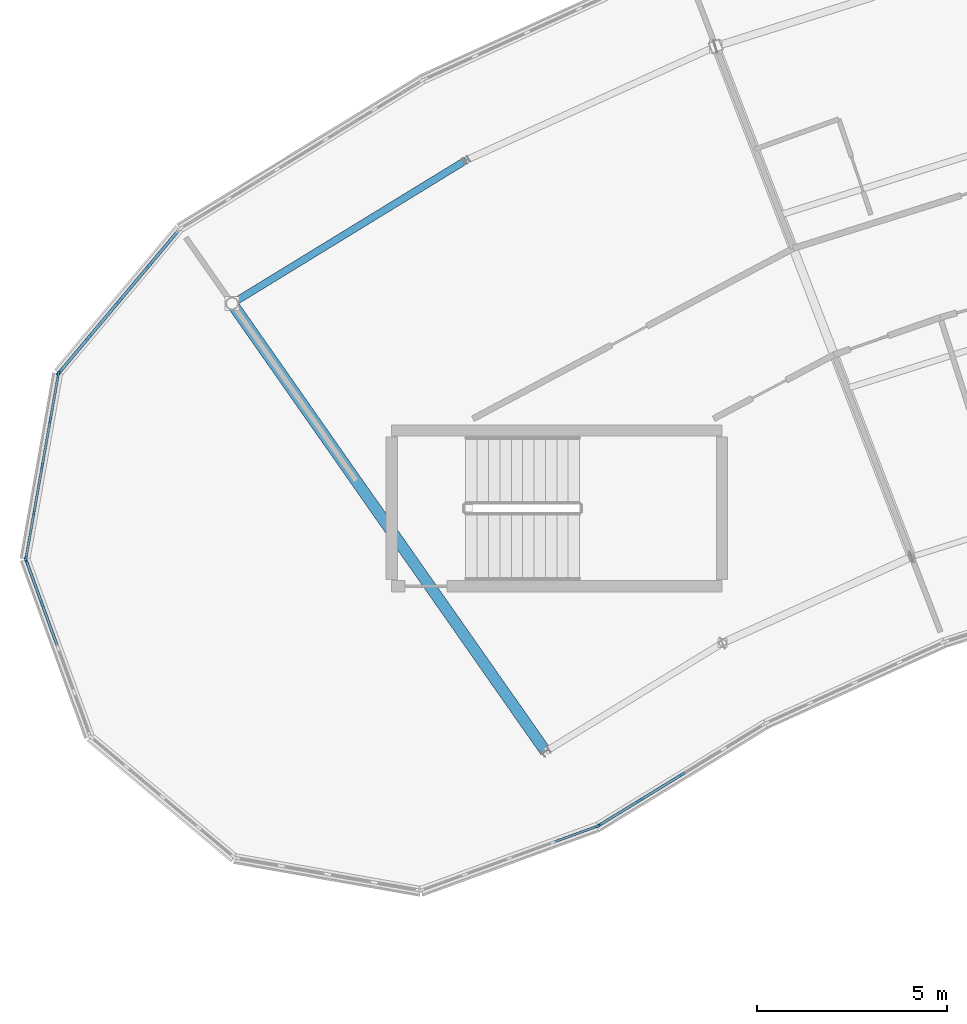
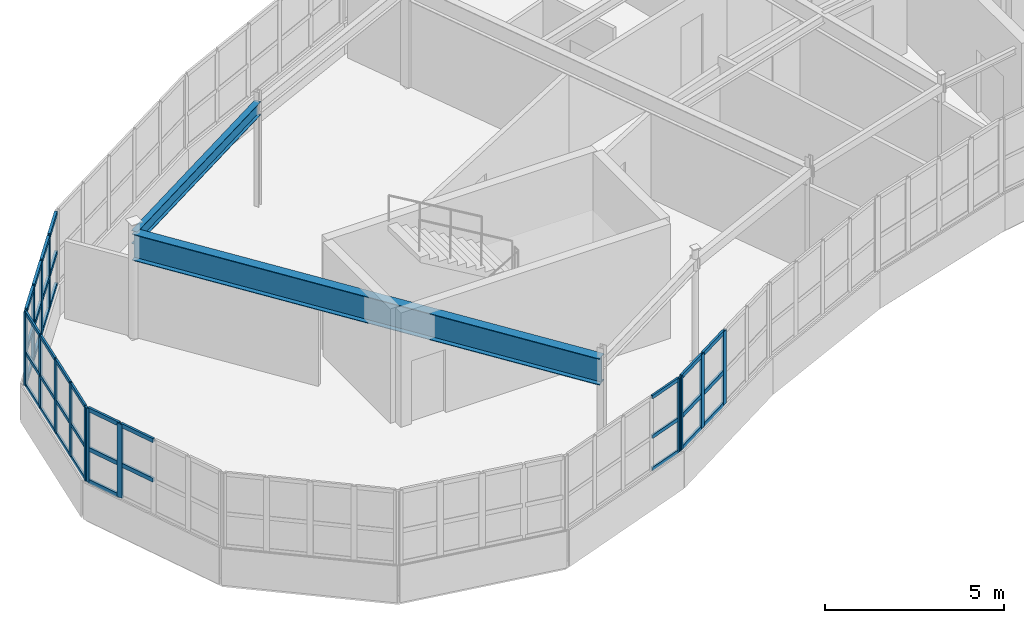
# One storey, part 25 of 65: 53 members, 2 beams, 5 elements without a shape of their own.
"""IFC4 building model written with IfcOpenShell, lengths in metres."""

from ifc_helpers import new_model, si_unit, direction, frame, origin, origin_2d, place, context, subcontext, project, spatial, rectangle, i_section, extrude, material, layer, layer_set, material_profile, profile_set, type_object, element, aggregate, save


model = new_model("IFC4")

# Units and contexts
model_context = context("Model", 3, precision=1e-05, world=origin(), true_north=direction((0.0, 1.0)))
body_context = subcontext(model_context, "Body", "Model", "MODEL_VIEW")
ifc_project = project(units=[si_unit("LENGTHUNIT", "METRE"), si_unit("AREAUNIT", "SQUARE_METRE"), si_unit("VOLUMEUNIT", "CUBIC_METRE"), si_unit("PLANEANGLEUNIT", "RADIAN"), si_unit("MASSUNIT", "GRAM", prefix="KILO")], contexts=[model_context])

# Site, building, storey
site_placement = place(None, origin())
site = spatial("IfcSite", under=ifc_project, at=site_placement, CompositionType="ELEMENT")
building_placement = place(site_placement, origin())
building = spatial("IfcBuilding", under=site, at=building_placement, Name="Tarnwether General Hospital", CompositionType="ELEMENT")
storey_placement = place(building_placement, frame((0.0, 0.0, 22.199951171875)))
storey = spatial("IfcBuildingStorey", under=building, at=storey_placement, Name="L05", CompositionType="ELEMENT", Elevation=22.199951171875)

# Beams
ifc_material_1 = material(Name="Steel Grade 350 (350 MPa)", Category="steel")
ifc_material_profile_1 = material_profile(ifc_material_1, i_section(OverallWidth=0.300048828125, OverallDepth=0.89990234375, WebThickness=0.011962890625, FlangeThickness=0.02001953125, at=origin_2d()), Name="900WB175")
ifc_profile_set_1 = profile_set([ifc_material_profile_1], Name="Steel Grade 350 (350 MPa)")
beam_type_1 = type_object("IfcBeamType", Name="BM-G01", PredefinedType="BEAM", material=ifc_profile_set_1)
beam_1_placement = place(storey_placement, frame((58.0439453125, 111.493896484375, 3.110107421875), z_axis=(0.573596601347, -0.819137924237, 0.0), x_axis=(0.819137924237, 0.573596601347, 0.0)))
element("IfcBeam", 1, at=beam_1_placement, inside=storey, type_object=beam_type_1, Name="Curved Ward NW Radial Girder BMG-L05-5804_11149-6630_9970-1981", PredefinedType="BEAM", context=body_context, shape_type="SweptSolid", body=[
    extrude(i_section(OverallWidth=0.300048828125, OverallDepth=0.89990234375, WebThickness=0.011962890625, FlangeThickness=0.02001953125, at=origin_2d()), origin(), (0.0, 0.0, 1.0), 14.400390625),
])
ifc_material_2 = material(Name="Steel Grade 350 (350 MPa)", Category="steel")
ifc_material_profile_2 = material_profile(ifc_material_2, i_section(OverallWidth=0.18994140625, OverallDepth=0.4541015625, WebThickness=0.008544921875, FlangeThickness=0.0126953125, at=origin_2d()), Name="460UB67.1")
ifc_profile_set_2 = profile_set([ifc_material_profile_2], Name="Steel Grade 350 (350 MPa)")
beam_type_2 = type_object("IfcBeamType", Name="BM-SP1", PredefinedType="SPANDREL", material=ifc_profile_set_2)
beam_2_placement = place(storey_placement, frame((58.0439453125, 111.493896484375, 3.3330078125), z_axis=(0.852678430503, 0.522436114902, 0.0), x_axis=(-0.522436114902, 0.852678430503, 0.0)))
element("IfcBeam", 2, at=beam_2_placement, inside=storey, type_object=beam_type_2, Name="Curved Ward NW Outer Spandrel BMG-L05-5804_11149-6421_11527-1987", PredefinedType="SPANDREL", context=body_context, shape_type="SweptSolid", body=[
    extrude(i_section(OverallWidth=0.18994140625, OverallDepth=0.4541015625, WebThickness=0.008544921875, FlangeThickness=0.0126953125, at=origin_2d()), origin(), (0.0, 0.0, 1.0), 7.22802734375),
])

# Curtain wall, members
ifc_material_3 = material(Name="Anodised aluminium", Category="aluminium")
ifc_layer = layer(ifc_material_3, 0.159912109375)
ifc_layer_set = layer_set([ifc_layer], Name="Anodised aluminium")
curtain_wall_type = type_object("IfcCurtainWallType", Name="CW-03", PredefinedType="NOTDEFINED", material=ifc_layer_set)
curtain_wall_1_placement = place(storey_placement, origin())
curtain_wall_1 = element("IfcCurtainWall", 3, at=curtain_wall_1_placement, inside=storey, type_object=curtain_wall_type, Name="Curtain Wall CWG-L05-526_1048-0065", PredefinedType="NOTDEFINED")
ifc_material_4 = material(Name="Anodised aluminium", Category="aluminium")
ifc_material_profile_3 = material_profile(ifc_material_4, rectangle(XDim=0.06005859375, YDim=0.159912109375, at=origin_2d()), Name="ALU-MUL-60x160")
ifc_profile_set_3 = profile_set([ifc_material_profile_3], Name="Anodised aluminium")
member_type_1 = type_object("IfcMemberType", Name="CW-ML1", PredefinedType="MULLION", material=ifc_profile_set_3)
member_1_placement = place(storey_placement, frame((52.6162109375, 104.78857421875, 1.050048828125), z_axis=(0.0, 0.0, 1.0), x_axis=(-0.984840230098, 0.173463890135, 0.0)))
member_1 = element("IfcMember", 4, at=member_1_placement, type_object=member_type_1, Name="CW-03 mullion 1", PredefinedType="MULLION", context=body_context, shape_type="SweptSolid", body=[
    extrude(rectangle(XDim=0.06005859375, YDim=0.159912109375, at=origin_2d()), origin(), (0.0, 0.0, 1.0), 2.510009765625),
])
member_2_placement = place(storey_placement, frame((52.826416015625, 105.982421875, 1.050048828125), z_axis=(0.0, 0.0, 1.0), x_axis=(-0.984840230098, 0.173463890135, 0.0)))
member_2 = element("IfcMember", 5, at=member_2_placement, type_object=member_type_1, Name="CW-03 mullion 2", PredefinedType="MULLION", context=body_context, shape_type="SweptSolid", body=[
    extrude(rectangle(XDim=0.06005859375, YDim=0.159912109375, at=origin_2d()), origin(), (0.0, 0.0, 1.0), 2.510009765625),
])
member_3_placement = place(storey_placement, frame((53.0419921875, 107.2060546875, 1.050048828125), z_axis=(0.0, 0.0, 1.0), x_axis=(-0.984840230098, 0.173463890135, 0.0)))
member_3 = element("IfcMember", 6, at=member_3_placement, type_object=member_type_1, Name="CW-03 mullion 3", PredefinedType="MULLION", context=body_context, shape_type="SweptSolid", body=[
    extrude(rectangle(XDim=0.06005859375, YDim=0.159912109375, at=origin_2d()), origin(), (0.0, 0.0, 1.0), 2.510009765625),
])
member_4_placement = place(storey_placement, frame((53.257568359375, 108.429443359375, 1.050048828125), z_axis=(0.0, 0.0, 1.0), x_axis=(-0.984840230098, 0.173463890135, 0.0)))
member_4 = element("IfcMember", 7, at=member_4_placement, type_object=member_type_1, Name="CW-03 mullion 4", PredefinedType="MULLION", context=body_context, shape_type="SweptSolid", body=[
    extrude(rectangle(XDim=0.06005859375, YDim=0.159912109375, at=origin_2d()), origin(), (0.0, 0.0, 1.0), 2.510009765625),
])
member_5_placement = place(storey_placement, frame((53.4677734375, 109.62353515625, 1.050048828125), z_axis=(0.0, 0.0, 1.0), x_axis=(-0.984840230098, 0.173463890135, 0.0)))
member_5 = element("IfcMember", 8, at=member_5_placement, type_object=member_type_1, Name="CW-03 mullion 5", PredefinedType="MULLION", context=body_context, shape_type="SweptSolid", body=[
    extrude(rectangle(XDim=0.06005859375, YDim=0.159912109375, at=origin_2d()), origin(), (0.0, 0.0, 1.0), 2.510009765625),
])

# Curtain wall, member
curtain_wall_2_placement = place(storey_placement, origin())
curtain_wall_2 = element("IfcCurtainWall", 9, at=curtain_wall_2_placement, inside=storey, type_object=curtain_wall_type, Name="Curtain Wall CWG-L05-677_977-0069", PredefinedType="NOTDEFINED")
member_6_placement = place(storey_placement, frame((67.65185546875, 97.7216796875, 1.050048828125), z_axis=(0.0, 0.0, 1.0), x_axis=(0.342130850834, -0.939652319163, 0.0)))
member_6 = element("IfcMember", 10, at=member_6_placement, type_object=member_type_1, Name="CW-03 mullion 1", PredefinedType="MULLION", context=body_context, shape_type="SweptSolid", body=[
    extrude(rectangle(XDim=0.06005859375, YDim=0.159912109375, at=origin_2d()), origin(), (0.0, 0.0, 1.0), 2.510009765625),
])

# Curtain wall, members
curtain_wall_3_placement = place(storey_placement, origin())
curtain_wall_3 = element("IfcCurtainWall", 11, at=curtain_wall_3_placement, inside=storey, type_object=curtain_wall_type, Name="Curtain Wall CWG-L05-543_1001-0066", PredefinedType="NOTDEFINED")
ifc_material_5 = material(Name="Anodised aluminium", Category="aluminium")
ifc_material_profile_4 = material_profile(ifc_material_5, rectangle(XDim=0.070068359375, YDim=0.179931640625, at=origin_2d()), Name="ALU-MUL-70x180")
ifc_profile_set_4 = profile_set([ifc_material_profile_4], Name="Anodised aluminium")
member_type_2 = type_object("IfcMemberType", Name="CW-ML2", PredefinedType="MULLION", material=ifc_profile_set_4)
member_7_placement = place(storey_placement, frame((53.03564453125, 103.591796875, 1.050048828125), z_axis=(0.0, 0.0, 1.0), x_axis=(-0.939717006582, -0.341953136469, 0.0)))
member_7 = element("IfcMember", 12, at=member_7_placement, type_object=member_type_2, Name="CW-03 mullion 4", PredefinedType="MULLION", context=body_context, shape_type="SweptSolid", body=[
    extrude(rectangle(XDim=0.070068359375, YDim=0.179931640625, at=origin_2d()), origin(), (0.0, 0.0, 1.0), 2.510009765625),
])
member_8_placement = place(storey_placement, frame((52.623046875, 104.72607421875, 1.050048828125), z_axis=(0.0, 0.0, 1.0), x_axis=(-0.939717006582, -0.341953136469, 0.0)))
member_8 = element("IfcMember", 13, at=member_8_placement, type_object=member_type_2, Name="CW-03 mullion 5", PredefinedType="MULLION", context=body_context, shape_type="SweptSolid", body=[
    extrude(rectangle(XDim=0.070068359375, YDim=0.179931640625, at=origin_2d()), origin(), (0.0, 0.0, 1.0), 2.510009765625),
])

curtain_wall_4_placement = place(storey_placement, origin())
curtain_wall_4 = element("IfcCurtainWall", 14, at=curtain_wall_4_placement, inside=storey, type_object=curtain_wall_type, Name="Curtain Wall CWG-L05-721_1004-0070", PredefinedType="NOTDEFINED")
member_9_placement = place(storey_placement, frame((69.886962890625, 99.08447265625, 1.050048828125), z_axis=(0.0, 0.0, 1.0), x_axis=(0.522512231483, -0.852631789198, 0.0)))
member_9 = element("IfcMember", 15, at=member_9_placement, type_object=member_type_2, Name="CW-03 mullion 3", PredefinedType="MULLION", context=body_context, shape_type="SweptSolid", body=[
    extrude(rectangle(XDim=0.070068359375, YDim=0.179931640625, at=origin_2d()), origin(), (0.0, 0.0, 1.0), 2.510009765625),
])
member_10_placement = place(storey_placement, frame((68.783447265625, 98.408203125, 1.050048828125), z_axis=(0.0, 0.0, 1.0), x_axis=(0.522512231483, -0.852631789198, 0.0)))
member_10 = element("IfcMember", 16, at=member_10_placement, type_object=member_type_2, Name="CW-03 mullion 4", PredefinedType="MULLION", context=body_context, shape_type="SweptSolid", body=[
    extrude(rectangle(XDim=0.070068359375, YDim=0.179931640625, at=origin_2d()), origin(), (0.0, 0.0, 1.0), 2.510009765625),
])
member_11_placement = place(storey_placement, frame((67.7099609375, 97.750244140625, 1.050048828125), z_axis=(0.0, 0.0, 1.0), x_axis=(0.522512231483, -0.852631789198, 0.0)))
member_11 = element("IfcMember", 17, at=member_11_placement, type_object=member_type_2, Name="CW-03 mullion 5", PredefinedType="MULLION", context=body_context, shape_type="SweptSolid", body=[
    extrude(rectangle(XDim=0.070068359375, YDim=0.179931640625, at=origin_2d()), origin(), (0.0, 0.0, 1.0), 2.510009765625),
])

curtain_wall_5_placement = place(storey_placement, origin())
curtain_wall_5 = element("IfcCurtainWall", 18, at=curtain_wall_5_placement, inside=storey, type_object=curtain_wall_type, Name="Curtain Wall CWG-L05-535_1097-0096", PredefinedType="NOTDEFINED")
ifc_material_6 = material(Name="Anodised aluminium", Category="aluminium")
ifc_material_profile_5 = material_profile(ifc_material_6, rectangle(XDim=0.080078125, YDim=0.199951171875, at=origin_2d()), Name="ALU-MUL-80x200")
ifc_profile_set_5 = profile_set([ifc_material_profile_5], Name="Anodised aluminium")
member_type_3 = type_object("IfcMemberType", Name="CW-ML4", PredefinedType="MULLION", material=ifc_profile_set_5)
member_12_placement = place(storey_placement, frame((53.498779296875, 109.68359375, 1.050048828125), z_axis=(0.0, 0.0, 1.0), x_axis=(-0.765990176896, 0.64285227611, 0.0)))
member_12 = element("IfcMember", 19, at=member_12_placement, type_object=member_type_3, Name="CW-03 mullion 1", PredefinedType="MULLION", context=body_context, shape_type="SweptSolid", body=[
    extrude(rectangle(XDim=0.080078125, YDim=0.199951171875, at=origin_2d()), origin(), (0.0, 0.0, 1.0), 2.510009765625),
])
member_13_placement = place(storey_placement, frame((54.271728515625, 110.604736328125, 1.050048828125), z_axis=(0.0, 0.0, 1.0), x_axis=(-0.765990176896, 0.64285227611, 0.0)))
member_13 = element("IfcMember", 20, at=member_13_placement, type_object=member_type_3, Name="CW-03 mullion 2", PredefinedType="MULLION", context=body_context, shape_type="SweptSolid", body=[
    extrude(rectangle(XDim=0.080078125, YDim=0.199951171875, at=origin_2d()), origin(), (0.0, 0.0, 1.0), 2.510009765625),
])
member_14_placement = place(storey_placement, frame((55.070556640625, 111.556396484375, 1.050048828125), z_axis=(0.0, 0.0, 1.0), x_axis=(-0.765990176896, 0.64285227611, 0.0)))
member_14 = element("IfcMember", 21, at=member_14_placement, type_object=member_type_3, Name="CW-03 mullion 3", PredefinedType="MULLION", context=body_context, shape_type="SweptSolid", body=[
    extrude(rectangle(XDim=0.080078125, YDim=0.199951171875, at=origin_2d()), origin(), (0.0, 0.0, 1.0), 2.510009765625),
])
member_15_placement = place(storey_placement, frame((55.869140625, 112.50830078125, 1.050048828125), z_axis=(0.0, 0.0, 1.0), x_axis=(-0.765990176896, 0.64285227611, 0.0)))
member_15 = element("IfcMember", 22, at=member_15_placement, type_object=member_type_3, Name="CW-03 mullion 4", PredefinedType="MULLION", context=body_context, shape_type="SweptSolid", body=[
    extrude(rectangle(XDim=0.080078125, YDim=0.199951171875, at=origin_2d()), origin(), (0.0, 0.0, 1.0), 2.510009765625),
])

# Member
ifc_material_7 = material(Name="Anodised aluminium", Category="aluminium")
ifc_material_profile_6 = material_profile(ifc_material_7, rectangle(XDim=0.06005859375, YDim=0.1201171875, at=origin_2d()), Name="ALU-TRN-60x120")
ifc_profile_set_6 = profile_set([ifc_material_profile_6], Name="Anodised aluminium")
member_type_4 = type_object("IfcMemberType", Name="CW-TR1", PredefinedType="USERDEFINED", material=ifc_profile_set_6)
member_16_placement = place(storey_placement, frame((52.621337890625, 104.818115234375, 1.080078125), z_axis=(0.173531496142, 0.984828319986, 0.0), x_axis=(-0.984828319986, 0.173531496142, 0.0)))
member_16 = element("IfcMember", 23, at=member_16_placement, type_object=member_type_4, Name="CW-03 transom 1.1", ObjectType="TRANSOM", PredefinedType="USERDEFINED", context=body_context, shape_type="SweptSolid", body=[
    extrude(rectangle(XDim=0.06005859375, YDim=0.1201171875, at=origin_2d()), origin(), (0.0, 0.0, 1.0), 1.15234375),
])

member_17_placement = place(storey_placement, frame((52.621337890625, 104.818115234375, 2.179443359375), z_axis=(0.173531496142, 0.984828319986, 0.0), x_axis=(-0.984828319986, 0.173531496142, 0.0)))
member_17 = element("IfcMember", 24, at=member_17_placement, type_object=member_type_4, Name="CW-03 transom 1.2", ObjectType="TRANSOM", PredefinedType="USERDEFINED", context=body_context, shape_type="SweptSolid", body=[
    extrude(rectangle(XDim=0.06005859375, YDim=0.1201171875, at=origin_2d()), origin(), (0.0, 0.0, 1.0), 1.15234375),
])

member_18_placement = place(storey_placement, frame((52.621337890625, 104.818115234375, 3.530029296875), z_axis=(0.173531496142, 0.984828319986, 0.0), x_axis=(-0.984828319986, 0.173531496142, 0.0)))
member_18 = element("IfcMember", 25, at=member_18_placement, type_object=member_type_4, Name="CW-03 transom 1.3", ObjectType="TRANSOM", PredefinedType="USERDEFINED", context=body_context, shape_type="SweptSolid", body=[
    extrude(rectangle(XDim=0.06005859375, YDim=0.1201171875, at=origin_2d()), origin(), (0.0, 0.0, 1.0), 1.15234375),
])

member_19_placement = place(storey_placement, frame((52.831787109375, 106.011962890625, 1.080078125), z_axis=(0.173431973782, 0.984845851121, 0.0), x_axis=(-0.984845851121, 0.173431973782, 0.0)))
member_19 = element("IfcMember", 26, at=member_19_placement, type_object=member_type_4, Name="CW-03 transom 2.1", ObjectType="TRANSOM", PredefinedType="USERDEFINED", context=body_context, shape_type="SweptSolid", body=[
    extrude(rectangle(XDim=0.06005859375, YDim=0.1201171875, at=origin_2d()), origin(), (0.0, 0.0, 1.0), 1.182373046875),
])

member_20_placement = place(storey_placement, frame((52.831787109375, 106.011962890625, 2.179443359375), z_axis=(0.173431973782, 0.984845851121, 0.0), x_axis=(-0.984845851121, 0.173431973782, 0.0)))
member_20 = element("IfcMember", 27, at=member_20_placement, type_object=member_type_4, Name="CW-03 transom 2.2", ObjectType="TRANSOM", PredefinedType="USERDEFINED", context=body_context, shape_type="SweptSolid", body=[
    extrude(rectangle(XDim=0.06005859375, YDim=0.1201171875, at=origin_2d()), origin(), (0.0, 0.0, 1.0), 1.182373046875),
])

member_21_placement = place(storey_placement, frame((52.831787109375, 106.011962890625, 3.530029296875), z_axis=(0.173431973782, 0.984845851121, 0.0), x_axis=(-0.984845851121, 0.173431973782, 0.0)))
member_21 = element("IfcMember", 28, at=member_21_placement, type_object=member_type_4, Name="CW-03 transom 2.3", ObjectType="TRANSOM", PredefinedType="USERDEFINED", context=body_context, shape_type="SweptSolid", body=[
    extrude(rectangle(XDim=0.06005859375, YDim=0.1201171875, at=origin_2d()), origin(), (0.0, 0.0, 1.0), 1.182373046875),
])

member_22_placement = place(storey_placement, frame((53.047119140625, 107.235595703125, 1.080078125), z_axis=(0.173467246121, 0.984839638989, 0.0), x_axis=(-0.984839638989, 0.173467246121, 0.0)))
member_22 = element("IfcMember", 29, at=member_22_placement, type_object=member_type_4, Name="CW-03 transom 3.1", ObjectType="TRANSOM", PredefinedType="USERDEFINED", context=body_context, shape_type="SweptSolid", body=[
    extrude(rectangle(XDim=0.06005859375, YDim=0.1201171875, at=origin_2d()), origin(), (0.0, 0.0, 1.0), 1.18212890625),
])

member_23_placement = place(storey_placement, frame((53.047119140625, 107.235595703125, 2.179443359375), z_axis=(0.173467246121, 0.984839638989, 0.0), x_axis=(-0.984839638989, 0.173467246121, 0.0)))
member_23 = element("IfcMember", 30, at=member_23_placement, type_object=member_type_4, Name="CW-03 transom 3.2", ObjectType="TRANSOM", PredefinedType="USERDEFINED", context=body_context, shape_type="SweptSolid", body=[
    extrude(rectangle(XDim=0.06005859375, YDim=0.1201171875, at=origin_2d()), origin(), (0.0, 0.0, 1.0), 1.18212890625),
])

member_24_placement = place(storey_placement, frame((53.047119140625, 107.235595703125, 3.530029296875), z_axis=(0.173467246121, 0.984839638989, 0.0), x_axis=(-0.984839638989, 0.173467246121, 0.0)))
member_24 = element("IfcMember", 31, at=member_24_placement, type_object=member_type_4, Name="CW-03 transom 3.3", ObjectType="TRANSOM", PredefinedType="USERDEFINED", context=body_context, shape_type="SweptSolid", body=[
    extrude(rectangle(XDim=0.06005859375, YDim=0.1201171875, at=origin_2d()), origin(), (0.0, 0.0, 1.0), 1.18212890625),
])

member_25_placement = place(storey_placement, frame((53.2626953125, 108.458984375, 1.080078125), z_axis=(0.173495293185, 0.984834698435, 0.0), x_axis=(-0.984834698435, 0.173495293185, 0.0)))
member_25 = element("IfcMember", 32, at=member_25_placement, type_object=member_type_4, Name="CW-03 transom 4.1", ObjectType="TRANSOM", PredefinedType="USERDEFINED", context=body_context, shape_type="SweptSolid", body=[
    extrude(rectangle(XDim=0.06005859375, YDim=0.1201171875, at=origin_2d()), origin(), (0.0, 0.0, 1.0), 1.152587890625),
])

member_26_placement = place(storey_placement, frame((53.2626953125, 108.458984375, 2.179443359375), z_axis=(0.173495293185, 0.984834698435, 0.0), x_axis=(-0.984834698435, 0.173495293185, 0.0)))
member_26 = element("IfcMember", 33, at=member_26_placement, type_object=member_type_4, Name="CW-03 transom 4.2", ObjectType="TRANSOM", PredefinedType="USERDEFINED", context=body_context, shape_type="SweptSolid", body=[
    extrude(rectangle(XDim=0.06005859375, YDim=0.1201171875, at=origin_2d()), origin(), (0.0, 0.0, 1.0), 1.152587890625),
])

member_27_placement = place(storey_placement, frame((53.2626953125, 108.458984375, 3.530029296875), z_axis=(0.173495293185, 0.984834698435, 0.0), x_axis=(-0.984834698435, 0.173495293185, 0.0)))
member_27 = element("IfcMember", 34, at=member_27_placement, type_object=member_type_4, Name="CW-03 transom 4.3", ObjectType="TRANSOM", PredefinedType="USERDEFINED", context=body_context, shape_type="SweptSolid", body=[
    extrude(rectangle(XDim=0.06005859375, YDim=0.1201171875, at=origin_2d()), origin(), (0.0, 0.0, 1.0), 1.152587890625),
])

aggregate(curtain_wall_1, [member_1, member_2, member_3, member_4, member_5, member_16, member_17, member_18, member_19, member_20, member_21, member_22, member_23, member_24, member_25, member_26, member_27])

member_28_placement = place(storey_placement, frame((67.62353515625, 97.71142578125, 1.080078125), z_axis=(-0.939681996159, -0.342049332837, 0.0), x_axis=(0.342049332837, -0.939681996159, 0.0)))
member_28 = element("IfcMember", 35, at=member_28_placement, type_object=member_type_4, Name="CW-03 transom 1.1", ObjectType="TRANSOM", PredefinedType="USERDEFINED", context=body_context, shape_type="SweptSolid", body=[
    extrude(rectangle(XDim=0.06005859375, YDim=0.1201171875, at=origin_2d()), origin(), (0.0, 0.0, 1.0), 1.152099609375),
])

member_29_placement = place(storey_placement, frame((67.62353515625, 97.71142578125, 2.179443359375), z_axis=(-0.939681996159, -0.342049332837, 0.0), x_axis=(0.342049332837, -0.939681996159, 0.0)))
member_29 = element("IfcMember", 36, at=member_29_placement, type_object=member_type_4, Name="CW-03 transom 1.2", ObjectType="TRANSOM", PredefinedType="USERDEFINED", context=body_context, shape_type="SweptSolid", body=[
    extrude(rectangle(XDim=0.06005859375, YDim=0.1201171875, at=origin_2d()), origin(), (0.0, 0.0, 1.0), 1.152099609375),
])

member_30_placement = place(storey_placement, frame((67.62353515625, 97.71142578125, 3.530029296875), z_axis=(-0.939681996159, -0.342049332837, 0.0), x_axis=(0.342049332837, -0.939681996159, 0.0)))
member_30 = element("IfcMember", 37, at=member_30_placement, type_object=member_type_4, Name="CW-03 transom 1.3", ObjectType="TRANSOM", PredefinedType="USERDEFINED", context=body_context, shape_type="SweptSolid", body=[
    extrude(rectangle(XDim=0.06005859375, YDim=0.1201171875, at=origin_2d()), origin(), (0.0, 0.0, 1.0), 1.152099609375),
])

aggregate(curtain_wall_2, [member_6, member_28, member_29, member_30])

ifc_material_8 = material(Name="Anodised aluminium", Category="aluminium")
ifc_material_profile_7 = material_profile(ifc_material_8, rectangle(XDim=0.070068359375, YDim=0.139892578125, at=origin_2d()), Name="ALU-TRN-70x140")
ifc_profile_set_7 = profile_set([ifc_material_profile_7], Name="Anodised aluminium")
member_type_5 = type_object("IfcMemberType", Name="CW-TR2", PredefinedType="USERDEFINED", material=ifc_profile_set_7)
member_31_placement = place(storey_placement, frame((53.448486328125, 102.457275390625, 2.179443359375), z_axis=(-0.341977164717, 0.939708262607, 0.0), x_axis=(-0.939708262607, -0.341977164717, 0.0)))
member_31 = element("IfcMember", 38, at=member_31_placement, type_object=member_type_5, Name="CW-03 transom 3.2", ObjectType="TRANSOM", PredefinedType="USERDEFINED", context=body_context, shape_type="SweptSolid", body=[
    extrude(rectangle(XDim=0.070068359375, YDim=0.139892578125, at=origin_2d()), origin(), (0.0, 0.0, 1.0), 1.172119140625),
])

member_32_placement = place(storey_placement, frame((53.448486328125, 102.457275390625, 3.525146484375), z_axis=(-0.341977164717, 0.939708262607, 0.0), x_axis=(-0.939708262607, -0.341977164717, 0.0)))
member_32 = element("IfcMember", 39, at=member_32_placement, type_object=member_type_5, Name="CW-03 transom 3.3", ObjectType="TRANSOM", PredefinedType="USERDEFINED", context=body_context, shape_type="SweptSolid", body=[
    extrude(rectangle(XDim=0.070068359375, YDim=0.139892578125, at=origin_2d()), origin(), (0.0, 0.0, 1.0), 1.172119140625),
])

member_33_placement = place(storey_placement, frame((53.023681640625, 103.624755859375, 1.0849609375), z_axis=(-0.341881000608, 0.939743252928, 0.0), x_axis=(-0.939743252928, -0.341881000608, 0.0)))
member_33 = element("IfcMember", 40, at=member_33_placement, type_object=member_type_5, Name="CW-03 transom 4.1", ObjectType="TRANSOM", PredefinedType="USERDEFINED", context=body_context, shape_type="SweptSolid", body=[
    extrude(rectangle(XDim=0.070068359375, YDim=0.139892578125, at=origin_2d()), origin(), (0.0, 0.0, 1.0), 1.136962890625),
])

member_34_placement = place(storey_placement, frame((53.023681640625, 103.624755859375, 2.179443359375), z_axis=(-0.341881000608, 0.939743252928, 0.0), x_axis=(-0.939743252928, -0.341881000608, 0.0)))
member_34 = element("IfcMember", 41, at=member_34_placement, type_object=member_type_5, Name="CW-03 transom 4.2", ObjectType="TRANSOM", PredefinedType="USERDEFINED", context=body_context, shape_type="SweptSolid", body=[
    extrude(rectangle(XDim=0.070068359375, YDim=0.139892578125, at=origin_2d()), origin(), (0.0, 0.0, 1.0), 1.136962890625),
])

member_35_placement = place(storey_placement, frame((53.023681640625, 103.624755859375, 3.525146484375), z_axis=(-0.341881000608, 0.939743252928, 0.0), x_axis=(-0.939743252928, -0.341881000608, 0.0)))
member_35 = element("IfcMember", 42, at=member_35_placement, type_object=member_type_5, Name="CW-03 transom 4.3", ObjectType="TRANSOM", PredefinedType="USERDEFINED", context=body_context, shape_type="SweptSolid", body=[
    extrude(rectangle(XDim=0.070068359375, YDim=0.139892578125, at=origin_2d()), origin(), (0.0, 0.0, 1.0), 1.136962890625),
])

aggregate(curtain_wall_3, [member_7, member_8, member_31, member_32, member_33, member_34, member_35])

member_36_placement = place(storey_placement, frame((69.857177734375, 99.066162109375, 1.0849609375), z_axis=(-0.852670027324, -0.522449829651, 0.0), x_axis=(0.522449829651, -0.852670027324, 0.0)))
member_36 = element("IfcMember", 43, at=member_36_placement, type_object=member_type_5, Name="CW-03 transom 3.1", ObjectType="TRANSOM", PredefinedType="USERDEFINED", context=body_context, shape_type="SweptSolid", body=[
    extrude(rectangle(XDim=0.070068359375, YDim=0.139892578125, at=origin_2d()), origin(), (0.0, 0.0, 1.0), 1.224365234375),
])

member_37_placement = place(storey_placement, frame((69.857177734375, 99.066162109375, 2.179443359375), z_axis=(-0.852670027324, -0.522449829651, 0.0), x_axis=(0.522449829651, -0.852670027324, 0.0)))
member_37 = element("IfcMember", 44, at=member_37_placement, type_object=member_type_5, Name="CW-03 transom 3.2", ObjectType="TRANSOM", PredefinedType="USERDEFINED", context=body_context, shape_type="SweptSolid", body=[
    extrude(rectangle(XDim=0.070068359375, YDim=0.139892578125, at=origin_2d()), origin(), (0.0, 0.0, 1.0), 1.224365234375),
])

member_38_placement = place(storey_placement, frame((69.857177734375, 99.066162109375, 3.525146484375), z_axis=(-0.852670027324, -0.522449829651, 0.0), x_axis=(0.522449829651, -0.852670027324, 0.0)))
member_38 = element("IfcMember", 45, at=member_38_placement, type_object=member_type_5, Name="CW-03 transom 3.3", ObjectType="TRANSOM", PredefinedType="USERDEFINED", context=body_context, shape_type="SweptSolid", body=[
    extrude(rectangle(XDim=0.070068359375, YDim=0.139892578125, at=origin_2d()), origin(), (0.0, 0.0, 1.0), 1.224365234375),
])

member_39_placement = place(storey_placement, frame((68.753662109375, 98.389892578125, 1.0849609375), z_axis=(-0.852636658785, -0.522504285242, 0.0), x_axis=(0.522504285242, -0.852636658785, 0.0)))
member_39 = element("IfcMember", 46, at=member_39_placement, type_object=member_type_5, Name="CW-03 transom 4.1", ObjectType="TRANSOM", PredefinedType="USERDEFINED", context=body_context, shape_type="SweptSolid", body=[
    extrude(rectangle(XDim=0.070068359375, YDim=0.139892578125, at=origin_2d()), origin(), (0.0, 0.0, 1.0), 1.189208984375),
])

member_40_placement = place(storey_placement, frame((68.753662109375, 98.389892578125, 2.179443359375), z_axis=(-0.852636658785, -0.522504285242, 0.0), x_axis=(0.522504285242, -0.852636658785, 0.0)))
member_40 = element("IfcMember", 47, at=member_40_placement, type_object=member_type_5, Name="CW-03 transom 4.2", ObjectType="TRANSOM", PredefinedType="USERDEFINED", context=body_context, shape_type="SweptSolid", body=[
    extrude(rectangle(XDim=0.070068359375, YDim=0.139892578125, at=origin_2d()), origin(), (0.0, 0.0, 1.0), 1.189208984375),
])

member_41_placement = place(storey_placement, frame((68.753662109375, 98.389892578125, 3.525146484375), z_axis=(-0.852636658785, -0.522504285242, 0.0), x_axis=(0.522504285242, -0.852636658785, 0.0)))
member_41 = element("IfcMember", 48, at=member_41_placement, type_object=member_type_5, Name="CW-03 transom 4.3", ObjectType="TRANSOM", PredefinedType="USERDEFINED", context=body_context, shape_type="SweptSolid", body=[
    extrude(rectangle(XDim=0.070068359375, YDim=0.139892578125, at=origin_2d()), origin(), (0.0, 0.0, 1.0), 1.189208984375),
])

aggregate(curtain_wall_4, [member_9, member_10, member_11, member_36, member_37, member_38, member_39, member_40, member_41])

ifc_material_9 = material(Name="Anodised aluminium", Category="aluminium")
ifc_material_profile_8 = material_profile(ifc_material_9, rectangle(XDim=0.080078125, YDim=0.14990234375, at=origin_2d()), Name="ALU-TRN-80x150")
ifc_profile_set_8 = profile_set([ifc_material_profile_8], Name="Anodised aluminium")
member_type_6 = type_object("IfcMemberType", Name="CW-TR4", PredefinedType="USERDEFINED", material=ifc_profile_set_8)
member_42_placement = place(storey_placement, frame((53.5244140625, 109.71435546875, 1.090087890625), z_axis=(0.642875805885, 0.765970429069, 0.0), x_axis=(-0.765970429069, 0.642875805885, 0.0)))
member_42 = element("IfcMember", 49, at=member_42_placement, type_object=member_type_6, Name="CW-03 transom 1.1", ObjectType="TRANSOM", PredefinedType="USERDEFINED", context=body_context, shape_type="SweptSolid", body=[
    extrude(rectangle(XDim=0.080078125, YDim=0.14990234375, at=origin_2d()), origin(), (0.0, 0.0, 1.0), 1.12255859375),
])

member_43_placement = place(storey_placement, frame((53.5244140625, 109.71435546875, 2.179443359375), z_axis=(0.642875805885, 0.765970429069, 0.0), x_axis=(-0.765970429069, 0.642875805885, 0.0)))
member_43 = element("IfcMember", 50, at=member_43_placement, type_object=member_type_6, Name="CW-03 transom 1.2", ObjectType="TRANSOM", PredefinedType="USERDEFINED", context=body_context, shape_type="SweptSolid", body=[
    extrude(rectangle(XDim=0.080078125, YDim=0.14990234375, at=origin_2d()), origin(), (0.0, 0.0, 1.0), 1.12255859375),
])

member_44_placement = place(storey_placement, frame((53.5244140625, 109.71435546875, 3.52001953125), z_axis=(0.642875805885, 0.765970429069, 0.0), x_axis=(-0.765970429069, 0.642875805885, 0.0)))
member_44 = element("IfcMember", 51, at=member_44_placement, type_object=member_type_6, Name="CW-03 transom 1.3", ObjectType="TRANSOM", PredefinedType="USERDEFINED", context=body_context, shape_type="SweptSolid", body=[
    extrude(rectangle(XDim=0.080078125, YDim=0.14990234375, at=origin_2d()), origin(), (0.0, 0.0, 1.0), 1.12255859375),
])

member_45_placement = place(storey_placement, frame((54.29736328125, 110.635498046875, 1.090087890625), z_axis=(0.642886651766, 0.765961326035, 0.0), x_axis=(-0.765961326035, 0.642886651766, 0.0)))
member_45 = element("IfcMember", 52, at=member_45_placement, type_object=member_type_6, Name="CW-03 transom 2.1", ObjectType="TRANSOM", PredefinedType="USERDEFINED", context=body_context, shape_type="SweptSolid", body=[
    extrude(rectangle(XDim=0.080078125, YDim=0.14990234375, at=origin_2d()), origin(), (0.0, 0.0, 1.0), 1.162353515625),
])

member_46_placement = place(storey_placement, frame((54.29736328125, 110.635498046875, 2.179443359375), z_axis=(0.642886651766, 0.765961326035, 0.0), x_axis=(-0.765961326035, 0.642886651766, 0.0)))
member_46 = element("IfcMember", 53, at=member_46_placement, type_object=member_type_6, Name="CW-03 transom 2.2", ObjectType="TRANSOM", PredefinedType="USERDEFINED", context=body_context, shape_type="SweptSolid", body=[
    extrude(rectangle(XDim=0.080078125, YDim=0.14990234375, at=origin_2d()), origin(), (0.0, 0.0, 1.0), 1.162353515625),
])

member_47_placement = place(storey_placement, frame((54.29736328125, 110.635498046875, 3.52001953125), z_axis=(0.642886651766, 0.765961326035, 0.0), x_axis=(-0.765961326035, 0.642886651766, 0.0)))
member_47 = element("IfcMember", 54, at=member_47_placement, type_object=member_type_6, Name="CW-03 transom 2.3", ObjectType="TRANSOM", PredefinedType="USERDEFINED", context=body_context, shape_type="SweptSolid", body=[
    extrude(rectangle(XDim=0.080078125, YDim=0.14990234375, at=origin_2d()), origin(), (0.0, 0.0, 1.0), 1.162353515625),
])

member_48_placement = place(storey_placement, frame((55.09619140625, 111.587158203125, 1.090087890625), z_axis=(0.642886651766, 0.765961326035, 0.0), x_axis=(-0.765961326035, 0.642886651766, 0.0)))
member_48 = element("IfcMember", 55, at=member_48_placement, type_object=member_type_6, Name="CW-03 transom 3.1", ObjectType="TRANSOM", PredefinedType="USERDEFINED", context=body_context, shape_type="SweptSolid", body=[
    extrude(rectangle(XDim=0.080078125, YDim=0.14990234375, at=origin_2d()), origin(), (0.0, 0.0, 1.0), 1.162353515625),
])

member_49_placement = place(storey_placement, frame((55.09619140625, 111.587158203125, 2.179443359375), z_axis=(0.642886651766, 0.765961326035, 0.0), x_axis=(-0.765961326035, 0.642886651766, 0.0)))
member_49 = element("IfcMember", 56, at=member_49_placement, type_object=member_type_6, Name="CW-03 transom 3.2", ObjectType="TRANSOM", PredefinedType="USERDEFINED", context=body_context, shape_type="SweptSolid", body=[
    extrude(rectangle(XDim=0.080078125, YDim=0.14990234375, at=origin_2d()), origin(), (0.0, 0.0, 1.0), 1.162353515625),
])

member_50_placement = place(storey_placement, frame((55.09619140625, 111.587158203125, 3.52001953125), z_axis=(0.642886651766, 0.765961326035, 0.0), x_axis=(-0.765961326035, 0.642886651766, 0.0)))
member_50 = element("IfcMember", 57, at=member_50_placement, type_object=member_type_6, Name="CW-03 transom 3.3", ObjectType="TRANSOM", PredefinedType="USERDEFINED", context=body_context, shape_type="SweptSolid", body=[
    extrude(rectangle(XDim=0.080078125, YDim=0.14990234375, at=origin_2d()), origin(), (0.0, 0.0, 1.0), 1.162353515625),
])

member_51_placement = place(storey_placement, frame((55.89501953125, 112.538818359375, 1.090087890625), z_axis=(0.642748180301, 0.766077526572, 0.0), x_axis=(-0.766077526572, 0.642748180301, 0.0)))
member_51 = element("IfcMember", 58, at=member_51_placement, type_object=member_type_6, Name="CW-03 transom 4.1", ObjectType="TRANSOM", PredefinedType="USERDEFINED", context=body_context, shape_type="SweptSolid", body=[
    extrude(rectangle(XDim=0.080078125, YDim=0.14990234375, at=origin_2d()), origin(), (0.0, 0.0, 1.0), 1.122314453125),
])

member_52_placement = place(storey_placement, frame((55.89501953125, 112.538818359375, 2.179443359375), z_axis=(0.642748180301, 0.766077526572, 0.0), x_axis=(-0.766077526572, 0.642748180301, 0.0)))
member_52 = element("IfcMember", 59, at=member_52_placement, type_object=member_type_6, Name="CW-03 transom 4.2", ObjectType="TRANSOM", PredefinedType="USERDEFINED", context=body_context, shape_type="SweptSolid", body=[
    extrude(rectangle(XDim=0.080078125, YDim=0.14990234375, at=origin_2d()), origin(), (0.0, 0.0, 1.0), 1.122314453125),
])

member_53_placement = place(storey_placement, frame((55.89501953125, 112.538818359375, 3.52001953125), z_axis=(0.642748180301, 0.766077526572, 0.0), x_axis=(-0.766077526572, 0.642748180301, 0.0)))
member_53 = element("IfcMember", 60, at=member_53_placement, type_object=member_type_6, Name="CW-03 transom 4.3", ObjectType="TRANSOM", PredefinedType="USERDEFINED", context=body_context, shape_type="SweptSolid", body=[
    extrude(rectangle(XDim=0.080078125, YDim=0.14990234375, at=origin_2d()), origin(), (0.0, 0.0, 1.0), 1.122314453125),
])

aggregate(curtain_wall_5, [member_12, member_13, member_14, member_15, member_42, member_43, member_44, member_45, member_46, member_47, member_48, member_49, member_50, member_51, member_52, member_53])

save(model, "model.ifc")
